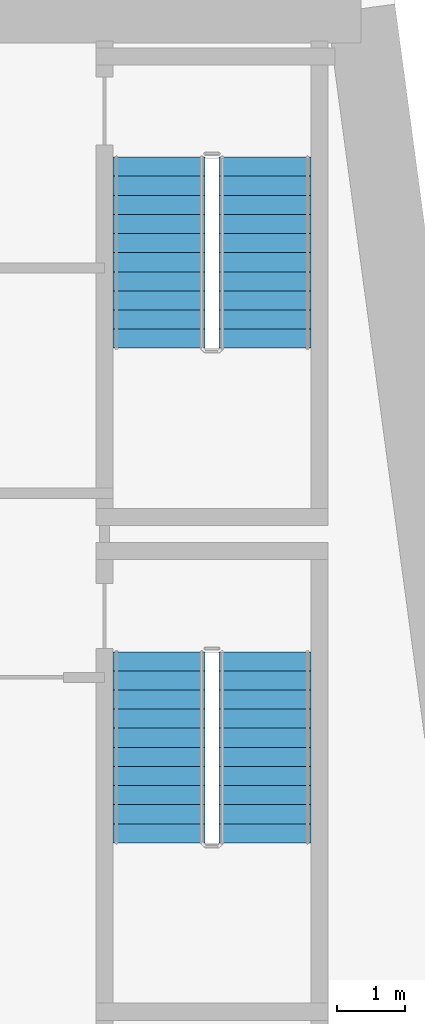
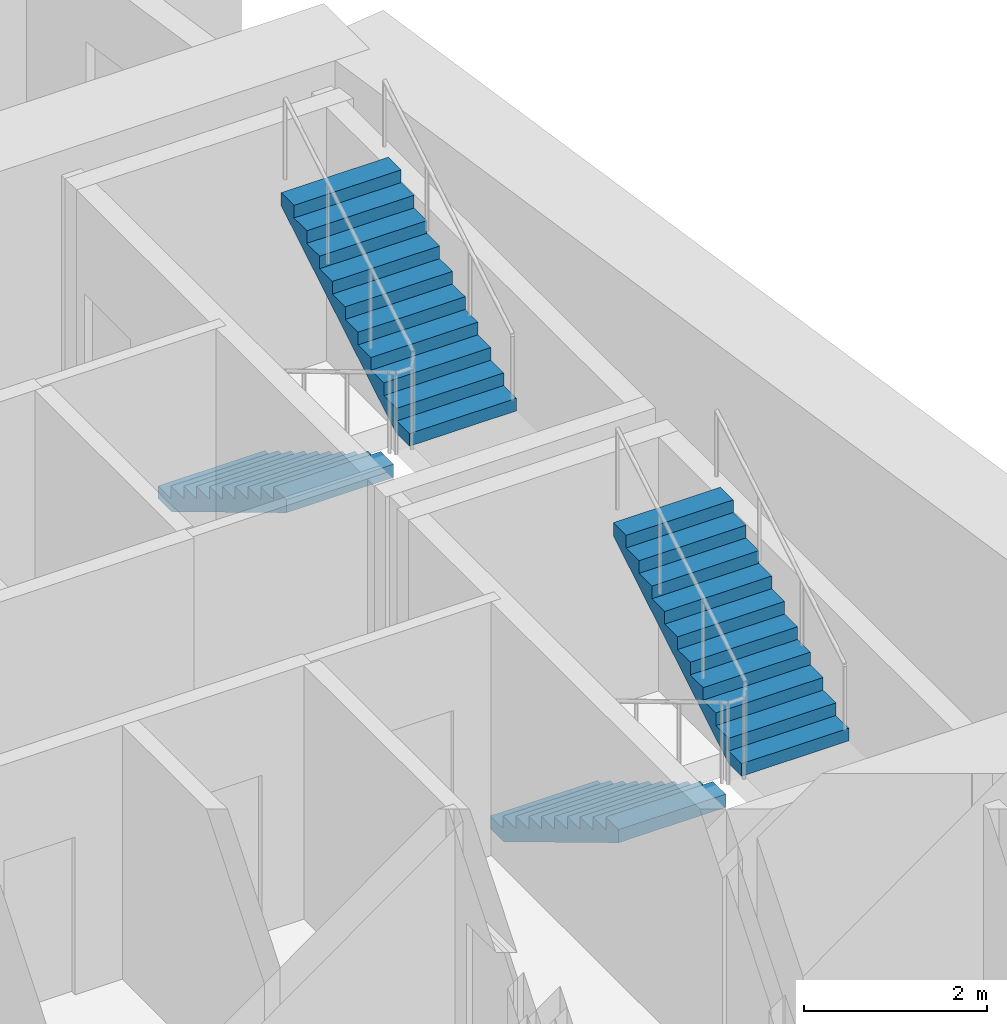
# One storey, part 8 of 13: 4 stair flights, 2 elements without a shape of their own.
"""IFC4 building model written with IfcOpenShell, lengths in metres."""

from ifc_helpers import new_model, si_unit, direction, frame, origin, place, context, subcontext, project, spatial, polyline, outline, extrude, material, type_object, element, aggregate, save


model = new_model("IFC4")

# Units and contexts
model_context = context("Model", 3, precision=1e-05, world=origin(), true_north=direction((0.0, 1.0)))
body_context = subcontext(model_context, "Body", "Model", "MODEL_VIEW")
ifc_project = project(units=[si_unit("LENGTHUNIT", "METRE"), si_unit("AREAUNIT", "SQUARE_METRE"), si_unit("VOLUMEUNIT", "CUBIC_METRE"), si_unit("PLANEANGLEUNIT", "RADIAN"), si_unit("MASSUNIT", "GRAM", prefix="KILO")], contexts=[model_context])

# Site, building, storey
site_placement = place(None, origin())
site = spatial("IfcSite", under=ifc_project, at=site_placement, CompositionType="ELEMENT")
building_placement = place(site_placement, origin())
building = spatial("IfcBuilding", under=site, at=building_placement, Name="Candeia Pilgrim Tower and Theatre", CompositionType="ELEMENT")
storey_placement = place(building_placement, frame((0.0, 0.0, 109.5)))
storey = spatial("IfcBuildingStorey", under=building, at=storey_placement, Name="L25", CompositionType="ELEMENT", Elevation=109.5)

# Stair, stair flights
ifc_material = material(Name="Concrete C40/50", Category="concrete")
stair_type = type_object("IfcStairType", Name="ST-TWR dog-leg escape stair", PredefinedType="HALF_TURN_STAIR", material=ifc_material)
stair_1_placement = place(storey_placement, origin())
stair_1 = element("IfcStair", 1, at=stair_1_placement, inside=storey, type_object=stair_type, Name="L25 Escape stair ST3", PredefinedType="HALF_TURN_STAIR")
stair_flight_type = type_object("IfcStairFlightType", Name="SFL-RC stair flight", PredefinedType="STRAIGHT", material=ifc_material)
stair_flight_1_placement = place(storey_placement, frame((134.77294921875, 122.47509765625, 0.0), z_axis=(0.0, 0.0, 1.0), x_axis=(0.0, -1.0, 0.0)))
stair_flight_1 = element("IfcStairFlight", 2, at=stair_flight_1_placement, type_object=stair_flight_type, Name="ST3 flight 1", NumberOfRisers=11, NumberOfTreads=10, PredefinedType="STRAIGHT", RiserHeight=0.168181818, TreadLength=0.28, context=body_context, shape_type="SweptSolid", body=[
    extrude(outline(polyline([(0.0, 0.0), (0.0, 0.168212890625), (0.280029296875, 0.168212890625), (0.280029296875, 0.33642578125), (0.56005859375, 0.33642578125), (0.56005859375, 0.504638671875), (0.840087890625, 0.504638671875), (0.840087890625, 0.672607421875), (1.1201171875, 0.672607421875), (1.1201171875, 0.8408203125), (1.39990234375, 0.8408203125), (1.39990234375, 1.009033203125), (1.679931640625, 1.009033203125), (1.679931640625, 1.17724609375), (1.9599609375, 1.17724609375), (1.9599609375, 1.345458984375), (2.239990234375, 1.345458984375), (2.239990234375, 1.513671875), (2.52001953125, 1.513671875), (2.52001953125, 1.681884765625), (2.800048828125, 1.681884765625), (2.800048828125, 1.85009765625), (2.800048828125, 1.5068359375), (0.291015625, 0.0), (0.0, 0.0)])), frame((0.0, 0.675048828125, 0.0), z_axis=(0.0, -1.0, 0.0), x_axis=(1.0, 0.0, 0.0)), (0.0, 0.0, 1.0), 1.35009765625),
])
stair_flight_2_placement = place(storey_placement, frame((136.322998046875, 119.675048828125, 1.85009765625), z_axis=(0.0, 0.0, 1.0), x_axis=(0.0, 1.0, 0.0)))
stair_flight_2 = element("IfcStairFlight", 3, at=stair_flight_2_placement, type_object=stair_flight_type, Name="ST3 flight 2", NumberOfRisers=11, NumberOfTreads=10, PredefinedType="STRAIGHT", RiserHeight=0.168181818, TreadLength=0.28, context=body_context, shape_type="SweptSolid", body=[
    extrude(outline(polyline([(0.0, 0.0), (0.0, 0.168212890625), (0.280029296875, 0.168212890625), (0.280029296875, 0.33642578125), (0.56005859375, 0.33642578125), (0.56005859375, 0.504638671875), (0.840087890625, 0.504638671875), (0.840087890625, 0.672607421875), (1.1201171875, 0.672607421875), (1.1201171875, 0.8408203125), (1.39990234375, 0.8408203125), (1.39990234375, 1.009033203125), (1.679931640625, 1.009033203125), (1.679931640625, 1.17724609375), (1.9599609375, 1.17724609375), (1.9599609375, 1.345458984375), (2.239990234375, 1.345458984375), (2.239990234375, 1.513671875), (2.52001953125, 1.513671875), (2.52001953125, 1.681884765625), (2.800048828125, 1.681884765625), (2.800048828125, 1.85009765625), (2.800048828125, 1.5068359375), (0.291015625, 0.0), (0.0, 0.0)])), frame((0.0, 0.675048828125, 0.0), z_axis=(0.0, -1.0, 0.0), x_axis=(1.0, 0.0, 0.0)), (0.0, 0.0, 1.0), 1.35009765625),
])
aggregate(stair_1, [stair_flight_1, stair_flight_2])

stair_2_placement = place(storey_placement, origin())
stair_2 = element("IfcStair", 4, at=stair_2_placement, inside=storey, type_object=stair_type, Name="L25 Escape stair ST4", PredefinedType="HALF_TURN_STAIR")
stair_flight_3_placement = place(storey_placement, frame((134.77294921875, 129.72509765625, 0.0), z_axis=(0.0, 0.0, 1.0), x_axis=(0.0, -1.0, 0.0)))
stair_flight_3 = element("IfcStairFlight", 5, at=stair_flight_3_placement, type_object=stair_flight_type, Name="ST4 flight 1", NumberOfRisers=11, NumberOfTreads=10, PredefinedType="STRAIGHT", RiserHeight=0.168181818, TreadLength=0.28, context=body_context, shape_type="SweptSolid", body=[
    extrude(outline(polyline([(0.0, 0.0), (0.0, 0.168212890625), (0.280029296875, 0.168212890625), (0.280029296875, 0.33642578125), (0.56005859375, 0.33642578125), (0.56005859375, 0.504638671875), (0.840087890625, 0.504638671875), (0.840087890625, 0.672607421875), (1.1201171875, 0.672607421875), (1.1201171875, 0.8408203125), (1.39990234375, 0.8408203125), (1.39990234375, 1.009033203125), (1.679931640625, 1.009033203125), (1.679931640625, 1.17724609375), (1.9599609375, 1.17724609375), (1.9599609375, 1.345458984375), (2.239990234375, 1.345458984375), (2.239990234375, 1.513671875), (2.52001953125, 1.513671875), (2.52001953125, 1.681884765625), (2.800048828125, 1.681884765625), (2.800048828125, 1.85009765625), (2.800048828125, 1.5068359375), (0.291015625, 0.0), (0.0, 0.0)])), frame((0.0, 0.675048828125, 0.0), z_axis=(0.0, -1.0, 0.0), x_axis=(1.0, 0.0, 0.0)), (0.0, 0.0, 1.0), 1.35009765625),
])
stair_flight_4_placement = place(storey_placement, frame((136.322998046875, 126.925048828125, 1.85009765625), z_axis=(0.0, 0.0, 1.0), x_axis=(0.0, 1.0, 0.0)))
stair_flight_4 = element("IfcStairFlight", 6, at=stair_flight_4_placement, type_object=stair_flight_type, Name="ST4 flight 2", NumberOfRisers=11, NumberOfTreads=10, PredefinedType="STRAIGHT", RiserHeight=0.168181818, TreadLength=0.28, context=body_context, shape_type="SweptSolid", body=[
    extrude(outline(polyline([(0.0, 0.0), (0.0, 0.168212890625), (0.280029296875, 0.168212890625), (0.280029296875, 0.33642578125), (0.56005859375, 0.33642578125), (0.56005859375, 0.504638671875), (0.840087890625, 0.504638671875), (0.840087890625, 0.672607421875), (1.1201171875, 0.672607421875), (1.1201171875, 0.8408203125), (1.39990234375, 0.8408203125), (1.39990234375, 1.009033203125), (1.679931640625, 1.009033203125), (1.679931640625, 1.17724609375), (1.9599609375, 1.17724609375), (1.9599609375, 1.345458984375), (2.239990234375, 1.345458984375), (2.239990234375, 1.513671875), (2.52001953125, 1.513671875), (2.52001953125, 1.681884765625), (2.800048828125, 1.681884765625), (2.800048828125, 1.85009765625), (2.800048828125, 1.5068359375), (0.291015625, 0.0), (0.0, 0.0)])), frame((0.0, 0.675048828125, 0.0), z_axis=(0.0, -1.0, 0.0), x_axis=(1.0, 0.0, 0.0)), (0.0, 0.0, 1.0), 1.35009765625),
])
aggregate(stair_2, [stair_flight_3, stair_flight_4])

save(model, "model.ifc")
